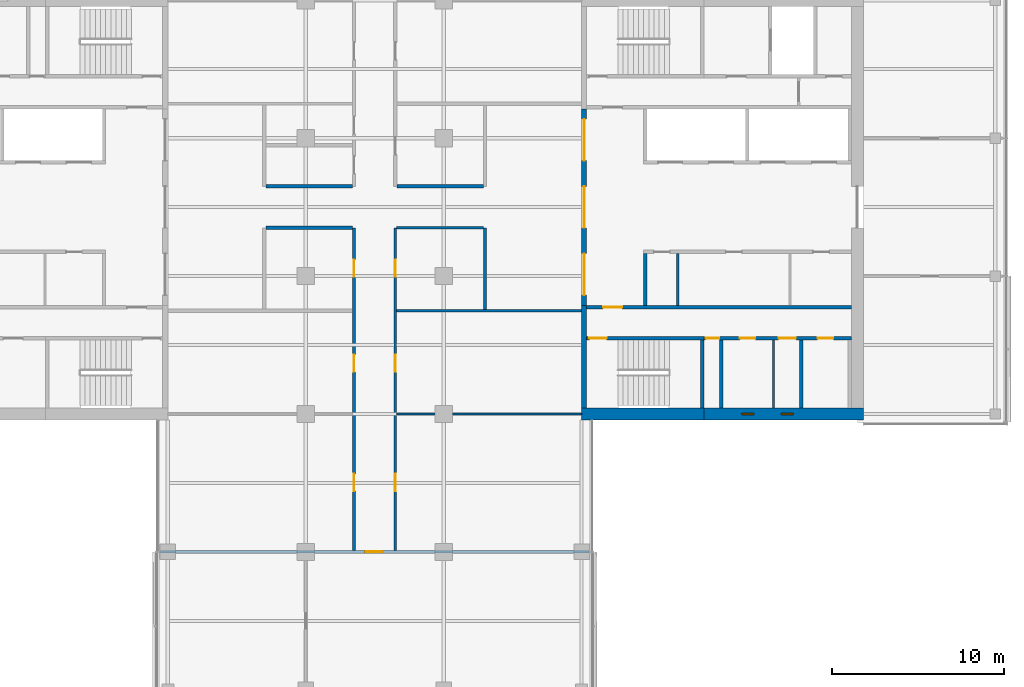
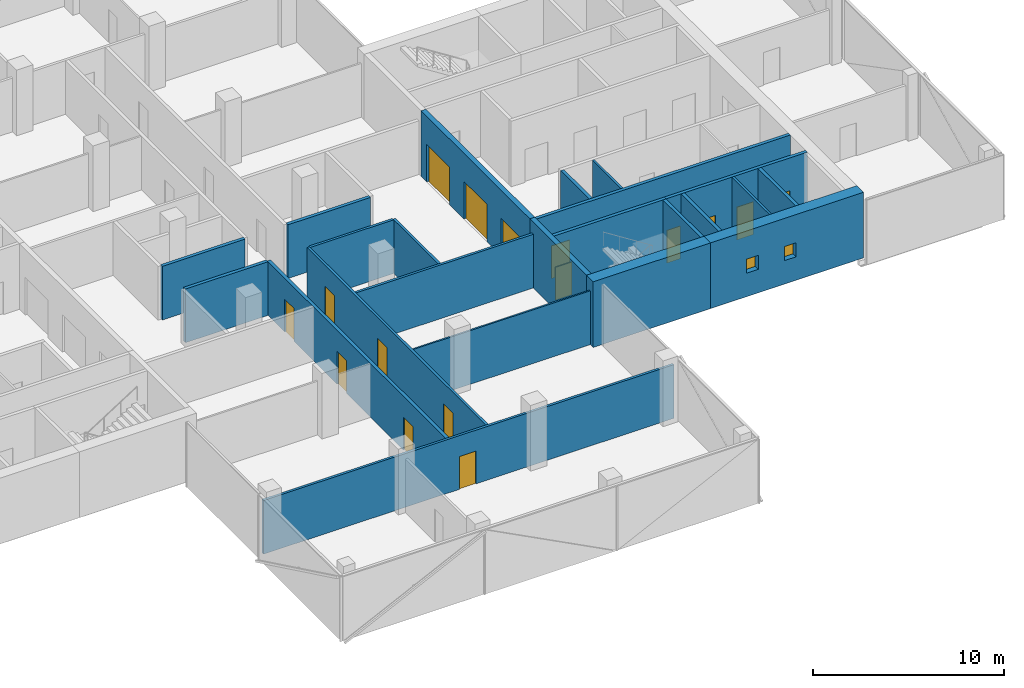
# One storey, part 14 of 22: 23 walls, 16 doors, 2 windows, 18 openings.
"""IFC4 building model written with IfcOpenShell, lengths in metres."""

from ifc_helpers import new_model, si_unit, direction, frame, frame_2d, origin, place, context, subcontext, project, spatial, rectangle, extrude, material, layer, layer_set, constituent, constituent_set, type_object, element, fill, save


model = new_model("IFC4")

# Units and contexts
model_context = context("Model", 3, precision=1e-05, world=origin(), true_north=direction((0.0, 1.0)))
body_context = subcontext(model_context, "Body", "Model", "MODEL_VIEW")
ifc_project = project(units=[si_unit("LENGTHUNIT", "METRE"), si_unit("AREAUNIT", "SQUARE_METRE"), si_unit("VOLUMEUNIT", "CUBIC_METRE"), si_unit("PLANEANGLEUNIT", "RADIAN"), si_unit("MASSUNIT", "GRAM", prefix="KILO")], contexts=[model_context])

# Site, building, storey
site_placement = place(None, origin())
site = spatial("IfcSite", under=ifc_project, at=site_placement, CompositionType="ELEMENT")
building_placement = place(site_placement, origin())
building = spatial("IfcBuilding", under=site, at=building_placement, Name="Crosswind Convention Tower", CompositionType="ELEMENT")
storey_placement = place(building_placement, frame((0.0, 0.0, 137.89990234375)))
storey = spatial("IfcBuildingStorey", under=building, at=storey_placement, Name="L28", CompositionType="ELEMENT", Elevation=137.89990234375)

# Wall
ifc_material_1 = material(Name="Concrete blockwork", Category="masonry")
ifc_layer_1 = layer(ifc_material_1, 0.199951171875)
ifc_layer_set_1 = layer_set([ifc_layer_1], Name="Blockwork partition wall 200")
wall_type_1 = type_object("IfcWallType", Name="Blockwork partition wall 200", PredefinedType="PARTITIONING", material=ifc_layer_set_1)
wall_1_placement = place(storey_placement, frame((145.10009765625, 88.35009765625, 0.0), z_axis=(0.0, 0.0, 1.0), x_axis=(0.0, 1.0, 0.0)))
element("IfcWall", 1, at=wall_1_placement, inside=storey, type_object=wall_type_1, Name="Wall MRSE E L28", PredefinedType="PARTITIONING", context=body_context, shape_type="SweptSolid", body=[
    extrude(rectangle(XDim=3.949951171875, YDim=0.199951171875, at=frame_2d((1.97509765625, 0.0))), origin(), (0.0, 0.0, 1.0), 4.2001953125),
])

# Wall, openings, doors
ifc_layer_2 = layer(ifc_material_1, 0.199951171875)
ifc_layer_set_2 = layer_set([ifc_layer_2], Name="COMPARTMENT WALL 200 BLOCKWORK")
wall_type_2 = type_object("IfcWallType", Name="COMPARTMENT WALL 200 BLOCKWORK", PredefinedType="SOLIDWALL", material=ifc_layer_set_2)
wall_2_placement = place(storey_placement, frame((123.800048828125, 80.074951171875, 0.0), z_axis=(0.0, 0.0, 1.0), x_axis=(0.0, 1.0, 0.0)))
wall_2 = element("IfcWall", 2, at=wall_2_placement, inside=storey, type_object=wall_type_2, Name="Compartment wall WT42", PredefinedType="SOLIDWALL", context=body_context, shape_type="SweptSolid", body=[
    extrude(rectangle(XDim=18.72509765625, YDim=0.199951171875, at=frame_2d((9.362548828125, 0.0))), origin(), (0.0, 0.0, 1.0), 3.4365234375),
])
opening_1_placement = place(wall_2_placement, frame((15.875, 0.0, 0.0)))
opening_1 = element("IfcOpeningElement", 3, at=opening_1_placement, cuts=wall_2, Name="Opening L28-60", PredefinedType="OPENING", context=body_context, shape_type="SweptSolid", body=[
    extrude(rectangle(XDim=1.0, YDim=2.10009765625, at=frame_2d((0.5, 1.050048828125))), frame((0.0, 0.10986328125, 0.0), z_axis=(0.0, -1.0, 0.0), x_axis=(1.0, 0.0, 0.0)), (0.0, 0.0, 1.0), 0.219970703125),
])
opening_2_placement = place(wall_2_placement, frame((10.375, 0.0, 0.0)))
opening_2 = element("IfcOpeningElement", 4, at=opening_2_placement, cuts=wall_2, Name="Opening L28-61", PredefinedType="OPENING", context=body_context, shape_type="SweptSolid", body=[
    extrude(rectangle(XDim=1.0, YDim=2.10009765625, at=frame_2d((0.5, 1.050048828125))), frame((0.0, 0.10986328125, 0.0), z_axis=(0.0, -1.0, 0.0), x_axis=(1.0, 0.0, 0.0)), (0.0, 0.0, 1.0), 0.219970703125),
])
opening_3_placement = place(wall_2_placement, frame((3.449951171875, 0.0, 0.0)))
opening_3 = element("IfcOpeningElement", 5, at=opening_3_placement, cuts=wall_2, Name="Opening L28-62", PredefinedType="OPENING", context=body_context, shape_type="SweptSolid", body=[
    extrude(rectangle(XDim=1.0, YDim=2.10009765625, at=frame_2d((0.5, 1.050048828125))), frame((0.0, 0.10986328125, 0.0), z_axis=(0.0, -1.0, 0.0), x_axis=(1.0, 0.0, 0.0)), (0.0, 0.0, 1.0), 0.219970703125),
])
ifc_material_2 = material(Name="Steel fire door", Category="steel")
door_type_1 = type_object("IfcDoorType", Name="PLANT ROOM DOOR 1000X2100 FD60", OperationType="NOTDEFINED", PredefinedType="DOOR", material=ifc_material_2)
door_1_placement = place(opening_1_placement, origin())
door_1 = element("IfcDoor", 6, at=door_1_placement, inside=storey, type_object=door_type_1, Name="Door L28-60", ObjectType="D43", OperationType="SINGLE_SWING_RIGHT", OverallHeight=2.10009765625, OverallWidth=1.0, PredefinedType="DOOR", context=body_context, shape_type="SweptSolid", body=[
    extrude(rectangle(XDim=1.0, YDim=2.10009765625, at=frame_2d((0.5, 1.050048828125))), frame((0.0, 0.02490234375, 0.0), z_axis=(0.0, -1.0, 0.0), x_axis=(1.0, 0.0, 0.0)), (0.0, 0.0, 1.0), 0.050048828125),
])
fill(opening_1, door_1)
ifc_material_3 = material(Name="Timber fire door", Category="wood")
door_type_2 = type_object("IfcDoorType", Name="TENANCY ENTRANCE DOOR 1000X2100 FD30S", OperationType="NOTDEFINED", PredefinedType="DOOR", material=ifc_material_3)
door_2_placement = place(opening_2_placement, frame((1.0, 0.0, 0.0), z_axis=(0.0, 0.0, 1.0), x_axis=(-1.0, 0.0, 0.0)))
door_2 = element("IfcDoor", 7, at=door_2_placement, inside=storey, type_object=door_type_2, Name="Door L28-61", ObjectType="D41", OperationType="SINGLE_SWING_LEFT", OverallHeight=2.10009765625, OverallWidth=1.0, PredefinedType="DOOR", context=body_context, shape_type="SweptSolid", body=[
    extrude(rectangle(XDim=1.0, YDim=2.10009765625, at=frame_2d((0.5, 1.050048828125))), frame((0.0, 0.02490234375, 0.0), z_axis=(0.0, -1.0, 0.0), x_axis=(1.0, 0.0, 0.0)), (0.0, 0.0, 1.0), 0.050048828125),
])
fill(opening_2, door_2)
door_3_placement = place(opening_3_placement, origin())
door_3 = element("IfcDoor", 8, at=door_3_placement, inside=storey, type_object=door_type_2, Name="Door L28-62", ObjectType="D41", OperationType="SINGLE_SWING_RIGHT", OverallHeight=2.10009765625, OverallWidth=1.0, PredefinedType="DOOR", context=body_context, shape_type="SweptSolid", body=[
    extrude(rectangle(XDim=1.0, YDim=2.10009765625, at=frame_2d((0.5, 1.050048828125))), frame((0.0, 0.02490234375, 0.0), z_axis=(0.0, -1.0, 0.0), x_axis=(1.0, 0.0, 0.0)), (0.0, 0.0, 1.0), 0.050048828125),
])
fill(opening_3, door_3)

# Walls
for number, where, z_axis, x_axis, name in (
    (9, (118.699951171875, 98.800048828125, 0.0), (0.0, 0.0, 1.0), (1.0, 0.0, 0.0), "Compartment wall WT42"),
    (10, (118.699951171875, 101.199951171875, 0.0), (0.0, 0.0, 1.0), (1.0, 0.0, 0.0), "Compartment wall WT42"),
    (11, (126.300048828125, 101.199951171875, 0.0), (0.0, 0.0, 1.0), (1.0, 0.0, 0.0), "Compartment wall WT42"),
):
    element("IfcWall", number, at=place(storey_placement, frame(where, z_axis=z_axis, x_axis=x_axis)), inside=storey, type_object=wall_type_2, Name=name, PredefinedType="SOLIDWALL", context=body_context, shape_type="SweptSolid", body=[
        extrude(rectangle(XDim=5.0, YDim=0.199951171875, at=frame_2d((2.5, 0.0))), origin(), (0.0, 0.0, 1.0), 3.4365234375),
    ])

# Wall, openings, doors
ifc_material_4 = material(Name="Concrete C50/60", Category="concrete")
ifc_layer_3 = layer(ifc_material_4, 0.300048828125)
ifc_layer_set_3 = layer_set([ifc_layer_3], Name="Concrete C50/60")
wall_type_3 = type_object("IfcWallType", Name="Concrete inner core wall 300", PredefinedType="SHEAR", material=ifc_layer_set_3)
wall_3_placement = place(storey_placement, frame((137.14990234375, 94.300048828125, 0.0), z_axis=(0.0, 0.0, 1.0), x_axis=(0.0, 1.0, 0.0)))
wall_3 = element("IfcWall", 12, at=wall_3_placement, inside=storey, type_object=wall_type_3, Name="Wall SCR E L28", PredefinedType="SHEAR", context=body_context, shape_type="SweptSolid", body=[
    extrude(rectangle(XDim=11.39990234375, YDim=0.300048828125, at=frame_2d((5.699951171875, 0.0))), origin(), (0.0, 0.0, 1.0), 4.2001953125),
])
opening_4_placement = place(wall_3_placement, frame((0.60009765625, 0.0, 0.0)))
opening_4 = element("IfcOpeningElement", 13, at=opening_4_placement, cuts=wall_3, Name="Opening D100", PredefinedType="OPENING", context=body_context, shape_type="SweptSolid", body=[
    extrude(rectangle(XDim=2.39990234375, YDim=2.39990234375, at=frame_2d((1.199951171875, 1.199951171875))), frame((0.0, 0.159912109375, 0.0), z_axis=(0.0, -1.0, 0.0), x_axis=(1.0, 0.0, 0.0)), (0.0, 0.0, 1.0), 0.320068359375),
])
opening_5_placement = place(wall_3_placement, frame((4.5, 0.0, 0.0)))
opening_5 = element("IfcOpeningElement", 14, at=opening_5_placement, cuts=wall_3, Name="Opening D100", PredefinedType="OPENING", context=body_context, shape_type="SweptSolid", body=[
    extrude(rectangle(XDim=2.39990234375, YDim=2.39990234375, at=frame_2d((1.199951171875, 1.199951171875))), frame((0.0, 0.159912109375, 0.0), z_axis=(0.0, -1.0, 0.0), x_axis=(1.0, 0.0, 0.0)), (0.0, 0.0, 1.0), 0.320068359375),
])
opening_6_placement = place(wall_3_placement, frame((8.39990234375, 0.0, 0.0)))
opening_6 = element("IfcOpeningElement", 15, at=opening_6_placement, cuts=wall_3, Name="Opening D100", PredefinedType="OPENING", context=body_context, shape_type="SweptSolid", body=[
    extrude(rectangle(XDim=2.39990234375, YDim=2.39990234375, at=frame_2d((1.199951171875, 1.199951171875))), frame((0.0, 0.159912109375, 0.0), z_axis=(0.0, -1.0, 0.0), x_axis=(1.0, 0.0, 0.0)), (0.0, 0.0, 1.0), 0.320068359375),
])
ifc_material_5 = material(Name="Steel fire door with glazed vision panels", Category="steel")
door_type_3 = type_object("IfcDoorType", Name="Fire-rated double door 2400x2400", OperationType="DOUBLE_DOOR_SINGLE_SWING", PredefinedType="DOOR", material=ifc_material_5)
door_4_placement = place(opening_4_placement, origin())
door_4 = element("IfcDoor", 16, at=door_4_placement, inside=storey, type_object=door_type_3, Name="Lobby door 1 L28", ObjectType="D100", OperationType="DOUBLE_DOOR_SINGLE_SWING", OverallHeight=2.39990234375, OverallWidth=2.39990234375, PredefinedType="DOOR", context=body_context, shape_type="SweptSolid", body=[
    extrude(rectangle(XDim=2.39990234375, YDim=2.39990234375, at=frame_2d((1.199951171875, 1.199951171875))), frame((0.0, 0.02490234375, 0.0), z_axis=(0.0, -1.0, 0.0), x_axis=(1.0, 0.0, 0.0)), (0.0, 0.0, 1.0), 0.050048828125),
])
fill(opening_4, door_4)
door_5_placement = place(opening_5_placement, origin())
door_5 = element("IfcDoor", 17, at=door_5_placement, inside=storey, type_object=door_type_3, Name="Lobby door 2 L28", ObjectType="D100", OperationType="DOUBLE_DOOR_SINGLE_SWING", OverallHeight=2.39990234375, OverallWidth=2.39990234375, PredefinedType="DOOR", context=body_context, shape_type="SweptSolid", body=[
    extrude(rectangle(XDim=2.39990234375, YDim=2.39990234375, at=frame_2d((1.199951171875, 1.199951171875))), frame((0.0, 0.02490234375, 0.0), z_axis=(0.0, -1.0, 0.0), x_axis=(1.0, 0.0, 0.0)), (0.0, 0.0, 1.0), 0.050048828125),
])
fill(opening_5, door_5)
door_6_placement = place(opening_6_placement, origin())
door_6 = element("IfcDoor", 18, at=door_6_placement, inside=storey, type_object=door_type_3, Name="Lobby door 3 L28", ObjectType="D100", OperationType="DOUBLE_DOOR_SINGLE_SWING", OverallHeight=2.39990234375, OverallWidth=2.39990234375, PredefinedType="DOOR", context=body_context, shape_type="SweptSolid", body=[
    extrude(rectangle(XDim=2.39990234375, YDim=2.39990234375, at=frame_2d((1.199951171875, 1.199951171875))), frame((0.0, 0.02490234375, 0.0), z_axis=(0.0, -1.0, 0.0), x_axis=(1.0, 0.0, 0.0)), (0.0, 0.0, 1.0), 0.050048828125),
])
fill(opening_6, door_6)

# Walls
wall_4_placement = place(storey_placement, frame((137.14990234375, 88.35009765625, 0.0), z_axis=(0.0, 0.0, 1.0), x_axis=(0.0, 1.0, 0.0)))
element("IfcWall", 19, at=wall_4_placement, inside=storey, type_object=wall_type_3, Name="Wall EM E L28", PredefinedType="SHEAR", context=body_context, shape_type="SweptSolid", body=[
    extrude(rectangle(XDim=5.949951171875, YDim=0.300048828125, at=frame_2d((2.97509765625, 0.0))), origin(), (0.0, 0.0, 1.0), 4.2001953125),
])
ifc_layer_4 = layer(ifc_material_4, 0.199951171875)
ifc_layer_set_4 = layer_set([ifc_layer_4], Name="Concrete C50/60")
wall_type_4 = type_object("IfcWallType", Name="Concrete shaft and stair wall 200", PredefinedType="SHEAR", material=ifc_layer_set_4)
wall_5_placement = place(storey_placement, frame((140.699951171875, 94.300048828125, 0.0), z_axis=(0.0, 0.0, 1.0), x_axis=(0.0, 1.0, 0.0)))
element("IfcWall", 20, at=wall_5_placement, inside=storey, type_object=wall_type_4, Name="Wall RMEND E L28", PredefinedType="SHEAR", context=body_context, shape_type="SweptSolid", body=[
    extrude(rectangle(XDim=3.0, YDim=0.199951171875, at=frame_2d((1.5, 0.0))), origin(), (0.0, 0.0, 1.0), 4.2001953125),
])

# Wall, opening, door
wall_6_placement = place(storey_placement, frame((137.300048828125, 94.199951171875, 0.0), z_axis=(0.0, 0.0, 1.0), x_axis=(1.0, 0.0, 0.0)))
wall_6 = element("IfcWall", 21, at=wall_6_placement, inside=storey, type_object=wall_type_4, Name="Wall HM E L28", PredefinedType="SHEAR", context=body_context, shape_type="SweptSolid", body=[
    extrude(rectangle(XDim=15.349853515625, YDim=0.199951171875, at=frame_2d((7.6748046875, 0.0))), origin(), (0.0, 0.0, 1.0), 4.2001953125),
])
opening_7_placement = place(wall_6_placement, frame((0.949951171875, 0.0, 0.0)))
opening_7 = element("IfcOpeningElement", 22, at=opening_7_placement, cuts=wall_6, Name="Opening D104", PredefinedType="OPENING", context=body_context, shape_type="SweptSolid", body=[
    extrude(rectangle(XDim=1.10009765625, YDim=2.10009765625, at=frame_2d((0.550048828125, 1.050048828125))), frame((0.0, 0.10986328125, 0.0), z_axis=(0.0, -1.0, 0.0), x_axis=(1.0, 0.0, 0.0)), (0.0, 0.0, 1.0), 0.219970703125),
])
door_type_4 = type_object("IfcDoorType", Name="Fire-rated single door 1100x2100", OperationType="NOTDEFINED", PredefinedType="DOOR", material=ifc_material_2)
door_7_placement = place(opening_7_placement, origin())
door_7 = element("IfcDoor", 23, at=door_7_placement, inside=storey, type_object=door_type_4, Name="Corridor door L28", ObjectType="D104", OperationType="SINGLE_SWING_LEFT", OverallHeight=2.10009765625, OverallWidth=1.10009765625, PredefinedType="DOOR", context=body_context, shape_type="SweptSolid", body=[
    extrude(rectangle(XDim=1.10009765625, YDim=2.10009765625, at=frame_2d((0.550048828125, 1.050048828125))), frame((0.0, 0.02490234375, 0.0), z_axis=(0.0, -1.0, 0.0), x_axis=(1.0, 0.0, 0.0)), (0.0, 0.0, 1.0), 0.050048828125),
])
fill(opening_7, door_7)

# Walls
for number, where, z_axis, x_axis, name in (
    (24, (144.0, 88.35009765625, 0.0), (0.0, 0.0, 1.0), (0.0, 1.0, 0.0), "Wall MSE E L28"),
    (25, (149.75, 88.35009765625, 0.0), (0.0, 0.0, 1.0), (0.0, 1.0, 0.0), "Wall MFSW E L28"),
):
    element("IfcWall", number, at=place(storey_placement, frame(where, z_axis=z_axis, x_axis=x_axis)), inside=storey, type_object=wall_type_4, Name=name, PredefinedType="SHEAR", context=body_context, shape_type="SweptSolid", body=[
        extrude(rectangle(XDim=3.949951171875, YDim=0.199951171875, at=frame_2d((1.97509765625, 0.0))), origin(), (0.0, 0.0, 1.0), 4.2001953125),
    ])

# Wall, opening, door
wall_7_placement = place(storey_placement, frame((137.300048828125, 92.39990234375, 0.0), z_axis=(0.0, 0.0, 1.0), x_axis=(1.0, 0.0, 0.0)))
wall_7 = element("IfcWall", 26, at=wall_7_placement, inside=storey, type_object=wall_type_4, Name="Wall MCW E L28", PredefinedType="SHEAR", context=body_context, shape_type="SweptSolid", body=[
    extrude(rectangle(XDim=6.800048828125, YDim=0.199951171875, at=frame_2d((3.39990234375, 0.0))), origin(), (0.0, 0.0, 1.0), 4.2001953125),
])
opening_8_placement = place(wall_7_placement, frame((0.14990234375, 0.0, 0.0)))
opening_8 = element("IfcOpeningElement", 27, at=opening_8_placement, cuts=wall_7, Name="Opening D103", PredefinedType="OPENING", context=body_context, shape_type="SweptSolid", body=[
    extrude(rectangle(XDim=1.0, YDim=2.10009765625, at=frame_2d((0.5, 1.050048828125))), frame((0.0, 0.10986328125, 0.0), z_axis=(0.0, -1.0, 0.0), x_axis=(1.0, 0.0, 0.0)), (0.0, 0.0, 1.0), 0.219970703125),
])
door_type_5 = type_object("IfcDoorType", Name="Fire-rated single door 1000x2100", OperationType="NOTDEFINED", PredefinedType="DOOR", material=ifc_material_2)
door_8_placement = place(opening_8_placement, frame((1.0, 0.0, 0.0), z_axis=(0.0, 0.0, 1.0), x_axis=(-1.0, 0.0, 0.0)))
door_8 = element("IfcDoor", 28, at=door_8_placement, inside=storey, type_object=door_type_5, Name="Stair ST2 door L28", ObjectType="D103", OperationType="SINGLE_SWING_RIGHT", OverallHeight=2.10009765625, OverallWidth=1.0, PredefinedType="DOOR", context=body_context, shape_type="SweptSolid", body=[
    extrude(rectangle(XDim=1.0, YDim=2.10009765625, at=frame_2d((0.5, 1.050048828125))), frame((0.0, 0.02490234375, 0.0), z_axis=(0.0, -1.0, 0.0), x_axis=(1.0, 0.0, 0.0)), (0.0, 0.0, 1.0), 0.050048828125),
])
fill(opening_8, door_8)

# Wall, openings, doors
wall_8_placement = place(storey_placement, frame((144.10009765625, 92.39990234375, 0.0), z_axis=(0.0, 0.0, 1.0), x_axis=(1.0, 0.0, 0.0)))
wall_8 = element("IfcWall", 29, at=wall_8_placement, inside=storey, type_object=wall_type_4, Name="Wall MCX E L28", PredefinedType="SHEAR", context=body_context, shape_type="SweptSolid", body=[
    extrude(rectangle(XDim=8.5498046875, YDim=0.199951171875, at=frame_2d((4.27490234375, 0.0))), origin(), (0.0, 0.0, 1.0), 4.2001953125),
])
opening_9_placement = place(wall_8_placement, frame((0.10009765625, 0.0, 0.0)))
opening_9 = element("IfcOpeningElement", 30, at=opening_9_placement, cuts=wall_8, Name="Opening D105", PredefinedType="OPENING", context=body_context, shape_type="SweptSolid", body=[
    extrude(rectangle(XDim=0.800048828125, YDim=2.10009765625, at=frame_2d((0.39990234375, 1.050048828125))), frame((0.0, 0.10986328125, 0.0), z_axis=(0.0, -1.0, 0.0), x_axis=(1.0, 0.0, 0.0)), (0.0, 0.0, 1.0), 0.219970703125),
])
opening_10_placement = place(wall_8_placement, frame((2.087158203125, 0.0, 0.0)))
opening_10 = element("IfcOpeningElement", 31, at=opening_10_placement, cuts=wall_8, Name="Opening D106", PredefinedType="OPENING", context=body_context, shape_type="SweptSolid", body=[
    extrude(rectangle(XDim=0.89990234375, YDim=2.10009765625, at=frame_2d((0.449951171875, 1.050048828125))), frame((0.0, 0.10986328125, 0.0), z_axis=(0.0, -1.0, 0.0), x_axis=(1.0, 0.0, 0.0)), (0.0, 0.0, 1.0), 0.219970703125),
])
opening_11_placement = place(wall_8_placement, frame((4.32470703125, 0.0, 0.0)))
opening_11 = element("IfcOpeningElement", 32, at=opening_11_placement, cuts=wall_8, Name="Opening D103", PredefinedType="OPENING", context=body_context, shape_type="SweptSolid", body=[
    extrude(rectangle(XDim=1.0, YDim=2.10009765625, at=frame_2d((0.5, 1.050048828125))), frame((0.0, 0.10986328125, 0.0), z_axis=(0.0, -1.0, 0.0), x_axis=(1.0, 0.0, 0.0)), (0.0, 0.0, 1.0), 0.219970703125),
])
opening_12_placement = place(wall_8_placement, frame((6.60009765625, 0.0, 0.0)))
opening_12 = element("IfcOpeningElement", 33, at=opening_12_placement, cuts=wall_8, Name="Opening D106", PredefinedType="OPENING", context=body_context, shape_type="SweptSolid", body=[
    extrude(rectangle(XDim=0.89990234375, YDim=2.10009765625, at=frame_2d((0.449951171875, 1.050048828125))), frame((0.0, 0.10986328125, 0.0), z_axis=(0.0, -1.0, 0.0), x_axis=(1.0, 0.0, 0.0)), (0.0, 0.0, 1.0), 0.219970703125),
])
door_9_placement = place(opening_11_placement, frame((1.0, 0.0, 0.0), z_axis=(0.0, 0.0, 1.0), x_axis=(-1.0, 0.0, 0.0)))
door_9 = element("IfcDoor", 34, at=door_9_placement, inside=storey, type_object=door_type_5, Name="Door to accessible wc L28", ObjectType="D103", OperationType="SINGLE_SWING_LEFT", OverallHeight=2.10009765625, OverallWidth=1.0, PredefinedType="DOOR", context=body_context, shape_type="SweptSolid", body=[
    extrude(rectangle(XDim=1.0, YDim=2.10009765625, at=frame_2d((0.5, 1.050048828125))), frame((0.0, 0.02490234375, 0.0), z_axis=(0.0, -1.0, 0.0), x_axis=(1.0, 0.0, 0.0)), (0.0, 0.0, 1.0), 0.050048828125),
])
fill(opening_11, door_9)
door_type_6 = type_object("IfcDoorType", Name="Riser access door 800x2100", OperationType="NOTDEFINED", PredefinedType="DOOR", material=ifc_material_2)
door_10_placement = place(opening_9_placement, frame((0.800048828125, 0.0, 0.0), z_axis=(0.0, 0.0, 1.0), x_axis=(-1.0, 0.0, 0.0)))
door_10 = element("IfcDoor", 35, at=door_10_placement, inside=storey, type_object=door_type_6, Name="Riser door L28", ObjectType="D105", OperationType="SINGLE_SWING_LEFT", OverallHeight=2.10009765625, OverallWidth=0.800048828125, PredefinedType="DOOR", context=body_context, shape_type="SweptSolid", body=[
    extrude(rectangle(XDim=0.800048828125, YDim=2.10009765625, at=frame_2d((0.39990234375, 1.050048828125))), frame((0.0, 0.02490234375, 0.0), z_axis=(0.0, -1.0, 0.0), x_axis=(1.0, 0.0, 0.0)), (0.0, 0.0, 1.0), 0.050048828125),
])
fill(opening_9, door_10)
ifc_material_6 = material(Name="Timber door", Category="wood")
door_type_7 = type_object("IfcDoorType", Name="Single leaf door 900x2100", OperationType="NOTDEFINED", PredefinedType="DOOR", material=ifc_material_6)
door_11_placement = place(opening_10_placement, frame((0.89990234375, 0.0, 0.0), z_axis=(0.0, 0.0, 1.0), x_axis=(-1.0, 0.0, 0.0)))
door_11 = element("IfcDoor", 36, at=door_11_placement, inside=storey, type_object=door_type_7, Name="Door to wc L28", ObjectType="D106", OperationType="SINGLE_SWING_LEFT", OverallHeight=2.10009765625, OverallWidth=0.89990234375, PredefinedType="DOOR", context=body_context, shape_type="SweptSolid", body=[
    extrude(rectangle(XDim=0.89990234375, YDim=2.10009765625, at=frame_2d((0.449951171875, 1.050048828125))), frame((0.0, 0.02490234375, 0.0), z_axis=(0.0, -1.0, 0.0), x_axis=(1.0, 0.0, 0.0)), (0.0, 0.0, 1.0), 0.050048828125),
])
fill(opening_10, door_11)
door_12_placement = place(opening_12_placement, frame((0.89990234375, 0.0, 0.0), z_axis=(0.0, 0.0, 1.0), x_axis=(-1.0, 0.0, 0.0)))
door_12 = element("IfcDoor", 37, at=door_12_placement, inside=storey, type_object=door_type_7, Name="Door to accessible wc L28", ObjectType="D106", OperationType="SINGLE_SWING_LEFT", OverallHeight=2.10009765625, OverallWidth=0.89990234375, PredefinedType="DOOR", context=body_context, shape_type="SweptSolid", body=[
    extrude(rectangle(XDim=0.89990234375, YDim=2.10009765625, at=frame_2d((0.449951171875, 1.050048828125))), frame((0.0, 0.02490234375, 0.0), z_axis=(0.0, -1.0, 0.0), x_axis=(1.0, 0.0, 0.0)), (0.0, 0.0, 1.0), 0.050048828125),
])
fill(opening_12, door_12)

# Walls
ifc_material_7 = material(Name="Gypsum plasterboard partition", Category="gypsum")
ifc_layer_5 = layer(ifc_material_7, 0.125)
ifc_layer_set_5 = layer_set([ifc_layer_5], Name="Drywall partition wall 125")
wall_type_5 = type_object("IfcWallType", Name="Drywall partition wall 125", PredefinedType="PARTITIONING", material=ifc_layer_set_5)
wall_9_placement = place(storey_placement, frame((142.577392578125, 94.300048828125, 0.0), z_axis=(0.0, 0.0, 1.0), x_axis=(0.0, 1.0, 0.0)))
element("IfcWall", 38, at=wall_9_placement, inside=storey, type_object=wall_type_5, Name="Wall RMP1 E L28", PredefinedType="PARTITIONING", context=body_context, shape_type="SweptSolid", body=[
    extrude(rectangle(XDim=3.0, YDim=0.125, at=frame_2d((1.5, 0.0))), origin(), (0.0, 0.0, 1.0), 4.2001953125),
])
wall_10_placement = place(storey_placement, frame((148.136962890625, 88.35009765625, 0.0), z_axis=(0.0, 0.0, 1.0), x_axis=(0.0, 1.0, 0.0)))
element("IfcWall", 39, at=wall_10_placement, inside=storey, type_object=wall_type_5, Name="Wall MWP1 E L28", PredefinedType="PARTITIONING", context=body_context, shape_type="SweptSolid", body=[
    extrude(rectangle(XDim=3.949951171875, YDim=0.125, at=frame_2d((1.97509765625, 0.0))), origin(), (0.0, 0.0, 1.0), 4.2001953125),
])
ifc_material_8 = material(Name="Plasterboard partition", Category="gypsum")
ifc_layer_6 = layer(ifc_material_8, 0.10009765625)
ifc_layer_set_6 = layer_set([ifc_layer_6], Name="PARTITION 100 METAL STUD")
wall_type_6 = type_object("IfcWallType", Name="PARTITION 100 METAL STUD", PredefinedType="PARTITIONING", material=ifc_layer_set_6)
wall_11_placement = place(storey_placement, frame((126.27490234375, 88.0, 0.0), z_axis=(0.0, 0.0, 1.0), x_axis=(1.0, 0.0, 0.0)))
element("IfcWall", 40, at=wall_11_placement, inside=storey, type_object=wall_type_6, Name="Partition wall WT40", PredefinedType="PARTITIONING", context=body_context, shape_type="SweptSolid", body=[
    extrude(rectangle(XDim=10.72509765625, YDim=0.10009765625, at=frame_2d((5.362548828125, 0.0))), origin(), (0.0, 0.0, 1.0), 3.4365234375),
])

# Wall, openings, doors
ifc_material_9 = material(Name="Fire-board partition with mineral wool", Category="gypsum")
ifc_layer_7 = layer(ifc_material_9, 0.14990234375)
ifc_layer_set_7 = layer_set([ifc_layer_7], Name="TENANCY WALL 150 TWO-HOUR BOARD")
wall_type_7 = type_object("IfcWallType", Name="TENANCY WALL 150 TWO-HOUR BOARD", PredefinedType="PARTITIONING", material=ifc_layer_set_7)
wall_12_placement = place(storey_placement, frame((126.199951171875, 80.074951171875, 0.0), z_axis=(0.0, 0.0, 1.0), x_axis=(0.0, 1.0, 0.0)))
wall_12 = element("IfcWall", 41, at=wall_12_placement, inside=storey, type_object=wall_type_7, Name="Tenancy wall WT41", PredefinedType="PARTITIONING", context=body_context, shape_type="SweptSolid", body=[
    extrude(rectangle(XDim=18.72509765625, YDim=0.14990234375, at=frame_2d((9.362548828125, 0.0))), origin(), (0.0, 0.0, 1.0), 3.4365234375),
])
opening_13_placement = place(wall_12_placement, frame((15.875, 0.0, 0.0)))
opening_13 = element("IfcOpeningElement", 42, at=opening_13_placement, cuts=wall_12, Name="Opening L28-53", PredefinedType="OPENING", context=body_context, shape_type="SweptSolid", body=[
    extrude(rectangle(XDim=1.0, YDim=2.10009765625, at=frame_2d((0.5, 1.050048828125))), frame((0.0, 0.0849609375, 0.0), z_axis=(0.0, -1.0, 0.0), x_axis=(1.0, 0.0, 0.0)), (0.0, 0.0, 1.0), 0.169921875),
])
opening_14_placement = place(wall_12_placement, frame((10.375, 0.0, 0.0)))
opening_14 = element("IfcOpeningElement", 43, at=opening_14_placement, cuts=wall_12, Name="Opening L28-54", PredefinedType="OPENING", context=body_context, shape_type="SweptSolid", body=[
    extrude(rectangle(XDim=1.0, YDim=2.10009765625, at=frame_2d((0.5, 1.050048828125))), frame((0.0, 0.0849609375, 0.0), z_axis=(0.0, -1.0, 0.0), x_axis=(1.0, 0.0, 0.0)), (0.0, 0.0, 1.0), 0.169921875),
])
opening_15_placement = place(wall_12_placement, frame((3.449951171875, 0.0, 0.0)))
opening_15 = element("IfcOpeningElement", 44, at=opening_15_placement, cuts=wall_12, Name="Opening L28-55", PredefinedType="OPENING", context=body_context, shape_type="SweptSolid", body=[
    extrude(rectangle(XDim=1.0, YDim=2.10009765625, at=frame_2d((0.5, 1.050048828125))), frame((0.0, 0.0849609375, 0.0), z_axis=(0.0, -1.0, 0.0), x_axis=(1.0, 0.0, 0.0)), (0.0, 0.0, 1.0), 0.169921875),
])
door_13_placement = place(opening_13_placement, frame((1.0, 0.0, 0.0), z_axis=(0.0, 0.0, 1.0), x_axis=(-1.0, 0.0, 0.0)))
door_13 = element("IfcDoor", 45, at=door_13_placement, inside=storey, type_object=door_type_2, Name="Door L28-53", ObjectType="D41", OperationType="SINGLE_SWING_LEFT", OverallHeight=2.10009765625, OverallWidth=1.0, PredefinedType="DOOR", context=body_context, shape_type="SweptSolid", body=[
    extrude(rectangle(XDim=1.0, YDim=2.10009765625, at=frame_2d((0.5, 1.050048828125))), frame((0.0, 0.02490234375, 0.0), z_axis=(0.0, -1.0, 0.0), x_axis=(1.0, 0.0, 0.0)), (0.0, 0.0, 1.0), 0.050048828125),
])
fill(opening_13, door_13)
door_14_placement = place(opening_14_placement, frame((1.0, 0.0, 0.0), z_axis=(0.0, 0.0, 1.0), x_axis=(-1.0, 0.0, 0.0)))
door_14 = element("IfcDoor", 46, at=door_14_placement, inside=storey, type_object=door_type_2, Name="Door L28-54", ObjectType="D41", OperationType="SINGLE_SWING_RIGHT", OverallHeight=2.10009765625, OverallWidth=1.0, PredefinedType="DOOR", context=body_context, shape_type="SweptSolid", body=[
    extrude(rectangle(XDim=1.0, YDim=2.10009765625, at=frame_2d((0.5, 1.050048828125))), frame((0.0, 0.02490234375, 0.0), z_axis=(0.0, -1.0, 0.0), x_axis=(1.0, 0.0, 0.0)), (0.0, 0.0, 1.0), 0.050048828125),
])
fill(opening_14, door_14)
door_15_placement = place(opening_15_placement, frame((1.0, 0.0, 0.0), z_axis=(0.0, 0.0, 1.0), x_axis=(-1.0, 0.0, 0.0)))
door_15 = element("IfcDoor", 47, at=door_15_placement, inside=storey, type_object=door_type_2, Name="Door L28-55", ObjectType="D41", OperationType="SINGLE_SWING_LEFT", OverallHeight=2.10009765625, OverallWidth=1.0, PredefinedType="DOOR", context=body_context, shape_type="SweptSolid", body=[
    extrude(rectangle(XDim=1.0, YDim=2.10009765625, at=frame_2d((0.5, 1.050048828125))), frame((0.0, 0.02490234375, 0.0), z_axis=(0.0, -1.0, 0.0), x_axis=(1.0, 0.0, 0.0)), (0.0, 0.0, 1.0), 0.050048828125),
])
fill(opening_15, door_15)

# Wall
wall_13_placement = place(storey_placement, frame((131.39990234375, 94.074951171875, 0.0), z_axis=(0.0, 0.0, 1.0), x_axis=(0.0, 1.0, 0.0)))
element("IfcWall", 48, at=wall_13_placement, inside=storey, type_object=wall_type_7, Name="Tenancy wall WT41", PredefinedType="PARTITIONING", context=body_context, shape_type="SweptSolid", body=[
    extrude(rectangle(XDim=4.72509765625, YDim=0.14990234375, at=frame_2d((2.362548828125, 0.0))), origin(), (0.0, 0.0, 1.0), 3.4365234375),
])

# Wall, opening, door
wall_14_placement = place(storey_placement, frame((112.580078125, 80.0, 0.0), z_axis=(0.0, 0.0, 1.0), x_axis=(1.0, 0.0, 0.0)))
wall_14 = element("IfcWall", 49, at=wall_14_placement, inside=storey, type_object=wall_type_7, Name="Tenancy wall WT41", PredefinedType="PARTITIONING", context=body_context, shape_type="SweptSolid", body=[
    extrude(rectangle(XDim=24.83984375, YDim=0.14990234375, at=frame_2d((12.419921875, 0.0))), origin(), (0.0, 0.0, 1.0), 3.4365234375),
])
opening_16_placement = place(wall_14_placement, frame((11.8701171875, 0.0, 0.0)))
opening_16 = element("IfcOpeningElement", 50, at=opening_16_placement, cuts=wall_14, Name="Opening L28-66", PredefinedType="OPENING", context=body_context, shape_type="SweptSolid", body=[
    extrude(rectangle(XDim=1.0, YDim=2.10009765625, at=frame_2d((0.5, 1.050048828125))), frame((0.0, 0.0849609375, 0.0), z_axis=(0.0, -1.0, 0.0), x_axis=(1.0, 0.0, 0.0)), (0.0, 0.0, 1.0), 0.169921875),
])
door_16_placement = place(opening_16_placement, frame((1.0, 0.0, 0.0), z_axis=(0.0, 0.0, 1.0), x_axis=(-1.0, 0.0, 0.0)))
door_16 = element("IfcDoor", 51, at=door_16_placement, inside=storey, type_object=door_type_2, Name="Door L28-66", ObjectType="D41", OperationType="SINGLE_SWING_RIGHT", OverallHeight=2.10009765625, OverallWidth=1.0, PredefinedType="DOOR", context=body_context, shape_type="SweptSolid", body=[
    extrude(rectangle(XDim=1.0, YDim=2.10009765625, at=frame_2d((0.5, 1.050048828125))), frame((0.0, 0.02490234375, 0.0), z_axis=(0.0, -1.0, 0.0), x_axis=(1.0, 0.0, 0.0)), (0.0, 0.0, 1.0), 0.050048828125),
])
fill(opening_16, door_16)

# Walls
wall_15_placement = place(storey_placement, frame((126.27490234375, 94.0, 0.0), z_axis=(0.0, 0.0, 1.0), x_axis=(1.0, 0.0, 0.0)))
element("IfcWall", 52, at=wall_15_placement, inside=storey, type_object=wall_type_7, Name="Tenancy wall WT41", PredefinedType="PARTITIONING", context=body_context, shape_type="SweptSolid", body=[
    extrude(rectangle(XDim=10.72509765625, YDim=0.14990234375, at=frame_2d((5.362548828125, 0.0))), origin(), (0.0, 0.0, 1.0), 3.4365234375),
])
wall_16_placement = place(storey_placement, frame((126.27490234375, 98.800048828125, 0.0), z_axis=(0.0, 0.0, 1.0), x_axis=(1.0, 0.0, 0.0)))
element("IfcWall", 53, at=wall_16_placement, inside=storey, type_object=wall_type_7, Name="Tenancy wall WT41", PredefinedType="PARTITIONING", context=body_context, shape_type="SweptSolid", body=[
    extrude(rectangle(XDim=5.050048828125, YDim=0.14990234375, at=frame_2d((2.52490234375, 0.0))), origin(), (0.0, 0.0, 1.0), 3.4365234375),
])
ifc_material_10 = material(Name="Concrete C60/75", Category="concrete")
ifc_constituent_1 = constituent(ifc_material_10, Name="Structure")
ifc_material_11 = material(Name="Terracotta rainscreen", Category="ceramic")
ifc_constituent_2 = constituent(ifc_material_11, Name="Facing")
ifc_constituent_set = constituent_set(constituents=[ifc_constituent_1, ifc_constituent_2], Name="Concrete C60/75, Terracotta rainscreen")
wall_type_8 = type_object("IfcWallType", Name="Terracotta rainscreen on concrete core wall 700", PredefinedType="SHEAR", material=ifc_constituent_set)
wall_17_placement = place(storey_placement, frame((137.0, 88.0, 0.0), z_axis=(0.0, 0.0, 1.0), x_axis=(1.0, 0.0, 0.0)))
element("IfcWall", 54, at=wall_17_placement, inside=storey, type_object=wall_type_8, Name="Wall S1 E L28", PredefinedType="SHEAR", context=body_context, shape_type="SweptSolid", body=[
    extrude(rectangle(XDim=7.10009765625, YDim=0.699951171875, at=frame_2d((3.550048828125, 0.0))), origin(), (0.0, 0.0, 1.0), 4.2001953125),
])

# Wall, openings, windows
wall_18_placement = place(storey_placement, frame((144.10009765625, 88.0, 0.0), z_axis=(0.0, 0.0, 1.0), x_axis=(1.0, 0.0, 0.0)))
wall_18 = element("IfcWall", 55, at=wall_18_placement, inside=storey, type_object=wall_type_8, Name="Wall S2 E L28", PredefinedType="SHEAR", context=body_context, shape_type="SweptSolid", body=[
    extrude(rectangle(XDim=9.25, YDim=0.699951171875, at=frame_2d((4.625, 0.0))), origin(), (0.0, 0.0, 1.0), 4.2001953125),
])
opening_17_placement = place(wall_18_placement, frame((2.187255859375, 0.0, 1.5)))
opening_17 = element("IfcOpeningElement", 56, at=opening_17_placement, cuts=wall_18, Name="Opening W2", PredefinedType="OPENING", context=body_context, shape_type="SweptSolid", body=[
    extrude(rectangle(XDim=0.699951171875, YDim=0.89990234375, at=frame_2d((0.35009765625, 0.449951171875))), frame((0.0, 0.35986328125, 0.0), z_axis=(0.0, -1.0, 0.0), x_axis=(1.0, 0.0, 0.0)), (0.0, 0.0, 1.0), 0.719970703125),
])
opening_18_placement = place(wall_18_placement, frame((4.474853515625, 0.0, 1.5)))
opening_18 = element("IfcOpeningElement", 57, at=opening_18_placement, cuts=wall_18, Name="Opening W2", PredefinedType="OPENING", context=body_context, shape_type="SweptSolid", body=[
    extrude(rectangle(XDim=0.699951171875, YDim=0.89990234375, at=frame_2d((0.35009765625, 0.449951171875))), frame((0.0, 0.35986328125, 0.0), z_axis=(0.0, -1.0, 0.0), x_axis=(1.0, 0.0, 0.0)), (0.0, 0.0, 1.0), 0.719970703125),
])
ifc_material_12 = material(Name="Obscure glass in aluminium frame", Category="aluminium")
window_type = type_object("IfcWindowType", Name="WC window 700x900", PartitioningType="SINGLE_PANEL", PredefinedType="WINDOW", material=ifc_material_12)
window_1_placement = place(opening_17_placement, origin())
window_1 = element("IfcWindow", 58, at=window_1_placement, inside=storey, type_object=window_type, Name="WC window L28", ObjectType="W2", OverallHeight=0.89990234375, OverallWidth=0.699951171875, PartitioningType="SINGLE_PANEL", PredefinedType="WINDOW", context=body_context, shape_type="SweptSolid", body=[
    extrude(rectangle(XDim=0.699951171875, YDim=0.89990234375, at=frame_2d((0.35009765625, 0.449951171875))), frame((0.0, 0.030029296875, 0.0), z_axis=(0.0, -1.0, 0.0), x_axis=(1.0, 0.0, 0.0)), (0.0, 0.0, 1.0), 0.06005859375),
])
fill(opening_17, window_1)
window_2_placement = place(opening_18_placement, origin())
window_2 = element("IfcWindow", 59, at=window_2_placement, inside=storey, type_object=window_type, Name="WC window L28", ObjectType="W2", OverallHeight=0.89990234375, OverallWidth=0.699951171875, PartitioningType="SINGLE_PANEL", PredefinedType="WINDOW", context=body_context, shape_type="SweptSolid", body=[
    extrude(rectangle(XDim=0.699951171875, YDim=0.89990234375, at=frame_2d((0.35009765625, 0.449951171875))), frame((0.0, 0.030029296875, 0.0), z_axis=(0.0, -1.0, 0.0), x_axis=(1.0, 0.0, 0.0)), (0.0, 0.0, 1.0), 0.06005859375),
])
fill(opening_18, window_2)

save(model, "model.ifc")
